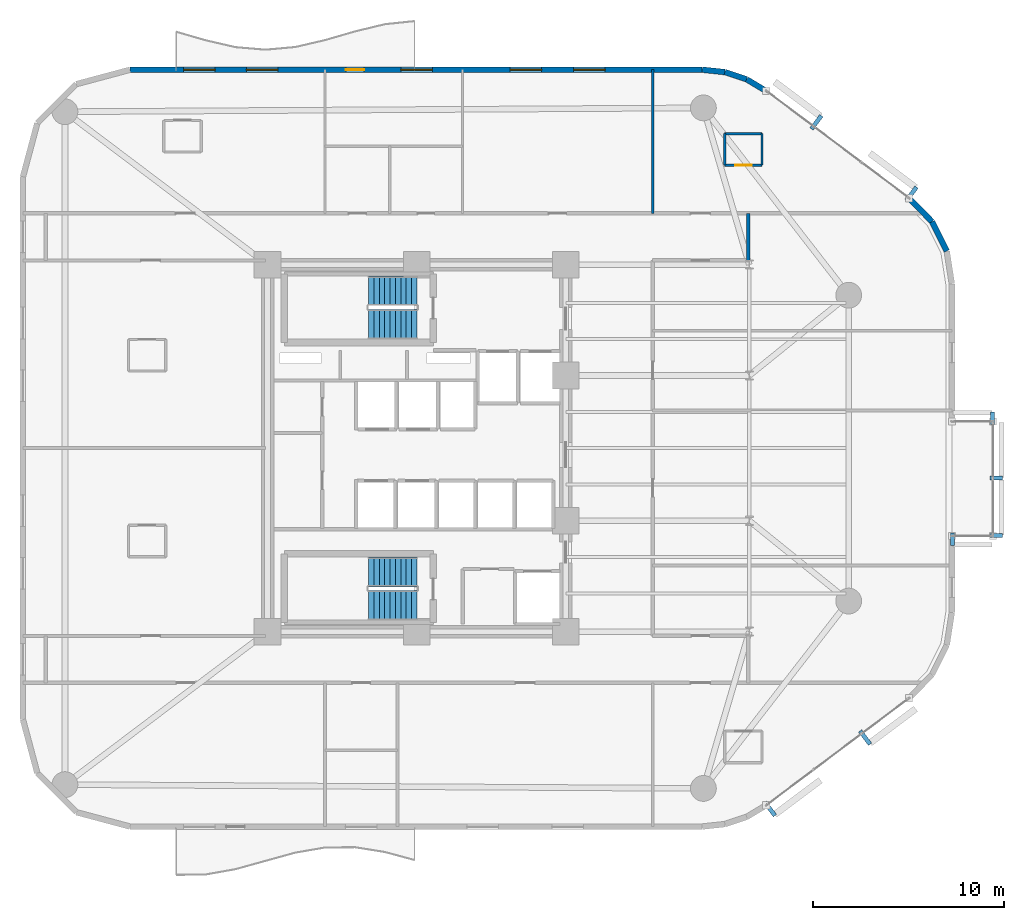
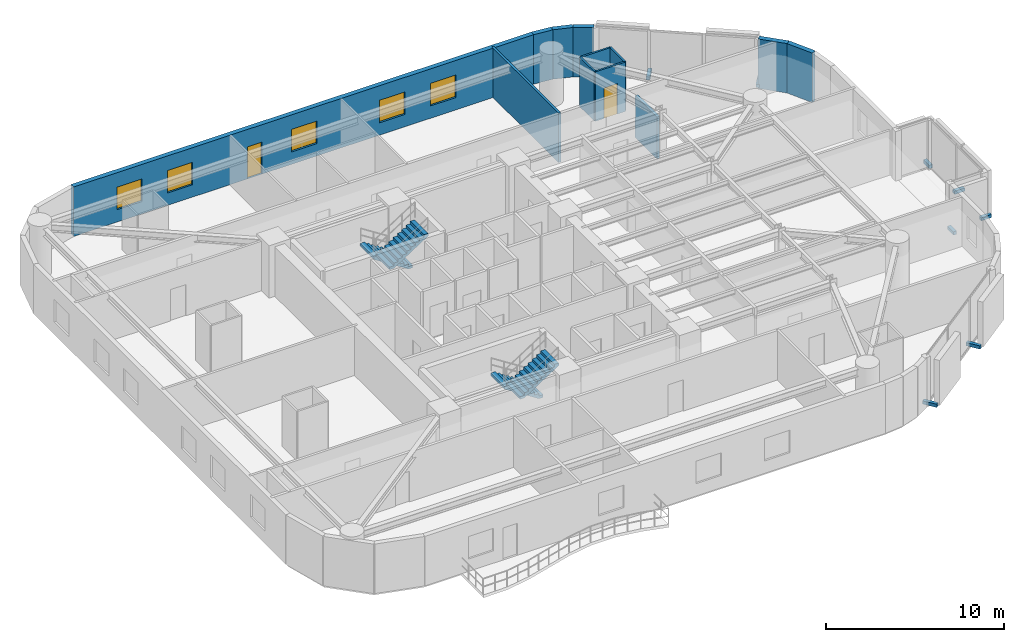
# One storey, part 11 of 13: 12 walls, 8 discrete accessories, 5 windows, 4 stair flights, 2 doors, 7 openings, 2 elements without a shape of their own.
"""IFC4 building model written with IfcOpenShell, lengths in metres."""

from ifc_helpers import new_model, si_unit, direction, frame, frame_2d, origin, origin_2d, place, context, subcontext, project, spatial, polyline, rectangle, outline, extrude, material, layer, layer_set, type_object, element, fill, aggregate, save


model = new_model("IFC4")

# Units and contexts
model_context = context("Model", 3, precision=1e-05, world=origin(), true_north=direction((0.0, 1.0)))
body_context = subcontext(model_context, "Body", "Model", "MODEL_VIEW")
ifc_project = project(units=[si_unit("LENGTHUNIT", "METRE"), si_unit("AREAUNIT", "SQUARE_METRE"), si_unit("VOLUMEUNIT", "CUBIC_METRE"), si_unit("PLANEANGLEUNIT", "RADIAN"), si_unit("MASSUNIT", "GRAM", prefix="KILO")], contexts=[model_context])

# Site, building, storey
site_placement = place(None, origin())
site = spatial("IfcSite", under=ifc_project, at=site_placement, CompositionType="ELEMENT")
building_placement = place(site_placement, origin())
building = spatial("IfcBuilding", under=site, at=building_placement, Name="An Khanh Terracotta Commons", CompositionType="ELEMENT")
storey_placement = place(building_placement, frame((0.0, 0.0, 125.89990234375)))
storey = spatial("IfcBuildingStorey", under=building, at=storey_placement, Name="L33", CompositionType="ELEMENT", Elevation=125.89990234375)

# Walls
ifc_material_1 = material(Name="Fire-Rated Gypsum Board on Steel Stud", Category="steel")
ifc_layer_1 = layer(ifc_material_1, 0.179931640625, Name="Fire-Rated Gypsum Board on Steel Stud")
ifc_layer_set_1 = layer_set([ifc_layer_1], Name="Fire-Rated Gypsum Board on Steel Stud")
wall_type_1 = type_object("IfcWallType", Name="WALL-CORR-180", PredefinedType="PARTITIONING", material=ifc_layer_set_1)
wall_1_placement = place(storey_placement, frame((46.75, 33.820068359375, 0.0), z_axis=(0.0, 0.0, 1.0), x_axis=(0.0, 1.0, 0.0)))
element("IfcWall", 1, at=wall_1_placement, inside=storey, type_object=wall_type_1, Name="L33 Interior Partition IW-L33-E024", PredefinedType="PARTITIONING", context=body_context, shape_type="SweptSolid", body=[
    extrude(rectangle(XDim=2.4599609375, YDim=0.179931640625, at=frame_2d((1.22998046875, 0.0))), origin(), (0.0, 0.0, 1.0), 2.882080078125),
])
ifc_material_2 = material(Name="Precast concrete C40/50", Category="concrete")
ifc_layer_2 = layer(ifc_material_2, 0.300048828125, Name="Precast concrete C40/50")
ifc_layer_set_2 = layer_set([ifc_layer_2], Name="Precast concrete C40/50")
wall_type_2 = type_object("IfcWallType", Name="WALL-EXT-300", PredefinedType="SOLIDWALL", material=ifc_layer_set_2)
for number, where, z_axis, x_axis, name in (
    (2, (57.135009765625, 34.303955078125, 0.0), (0.0, 0.0, 1.0), (-0.4472135955, 0.894427191, 0.0), "L33 Insulated Terracotta Exterior Wall 14"),
    (3, (56.364013671875, 35.845947265625, 0.0), (0.0, 0.0, 1.0), (-0.6983450845, 0.715761233201, 0.0), "L33 Insulated Terracotta Exterior Wall 15"),
):
    element("IfcWall", number, at=place(storey_placement, frame(where, z_axis=z_axis, x_axis=x_axis)), inside=storey, type_object=wall_type_2, Name=name, PredefinedType="SOLIDWALL", context=body_context, shape_type="SweptSolid", body=[
        extrude(rectangle(XDim=1.72412109375, YDim=0.300048828125, at=frame_2d((0.862060546875, 0.0))), origin(), (0.0, 0.0, 1.0), 3.400146484375),
    ])
wall_2_placement = place(storey_placement, frame((47.693115234375, 42.679931640625, 0.0), z_axis=(0.0, 0.0, 1.0), x_axis=(-0.859320591642, 0.511437308749, 0.0)))
element("IfcWall", 4, at=wall_2_placement, inside=storey, type_object=wall_type_2, Name="L33 Insulated Terracotta Exterior Wall 17", PredefinedType="SOLIDWALL", context=body_context, shape_type="SweptSolid", body=[
    extrude(rectangle(XDim=1.19873046875, YDim=0.300048828125, at=frame_2d((0.599365234375, 0.0))), origin(), (0.0, 0.0, 1.0), 3.400146484375),
])
wall_3_placement = place(storey_placement, frame((46.6630859375, 43.29296875, 0.0), z_axis=(0.0, 0.0, 1.0), x_axis=(-0.948744332129, 0.316044604847, 0.0)))
element("IfcWall", 5, at=wall_3_placement, inside=storey, type_object=wall_type_2, Name="L33 Insulated Terracotta Exterior Wall 18", PredefinedType="SOLIDWALL", context=body_context, shape_type="SweptSolid", body=[
    extrude(rectangle(XDim=1.19970703125, YDim=0.300048828125, at=frame_2d((0.599853515625, 0.0))), origin(), (0.0, 0.0, 1.0), 3.400146484375),
])
wall_4_placement = place(storey_placement, frame((45.52490234375, 43.672119140625, 0.0), z_axis=(0.0, 0.0, 1.0), x_axis=(-0.994289103787, 0.106720092254, 0.0)))
element("IfcWall", 6, at=wall_4_placement, inside=storey, type_object=wall_type_2, Name="L33 Insulated Terracotta Exterior Wall 19", PredefinedType="SOLIDWALL", context=body_context, shape_type="SweptSolid", body=[
    extrude(rectangle(XDim=1.19873046875, YDim=0.300048828125, at=frame_2d((0.599365234375, 0.0))), origin(), (0.0, 0.0, 1.0), 3.400146484375),
])

# Wall, openings, door, windows
wall_5_placement = place(storey_placement, frame((44.3330078125, 43.800048828125, 0.0), z_axis=(0.0, 0.0, 1.0), x_axis=(-1.0, 0.0, 0.0)))
wall_5 = element("IfcWall", 7, at=wall_5_placement, inside=storey, type_object=wall_type_2, Name="L33 Insulated Terracotta Exterior Wall 20", PredefinedType="SOLIDWALL", context=body_context, shape_type="SweptSolid", body=[
    extrude(rectangle(XDim=29.93310546875, YDim=0.300048828125, at=frame_2d((14.966552734375, 0.0))), origin(), (0.0, 0.0, 1.0), 3.400146484375),
])
opening_1_placement = place(wall_5_placement, frame((17.68310546875, 0.0, 0.0)))
opening_1 = element("IfcOpeningElement", 8, at=opening_1_placement, cuts=wall_5, Name="Opening D-BAL", PredefinedType="OPENING", context=body_context, shape_type="SweptSolid", body=[
    extrude(rectangle(XDim=0.949951171875, YDim=2.199951171875, at=frame_2d((0.47509765625, 1.10009765625))), frame((0.0, 0.159912109375, 0.0), z_axis=(0.0, -1.0, 0.0), x_axis=(1.0, 0.0, 0.0)), (0.0, 0.0, 1.0), 0.320068359375),
])
opening_2_placement = place(wall_5_placement, frame((5.074951171875, 0.0, 0.85009765625)))
opening_2 = element("IfcOpeningElement", 9, at=opening_2_placement, cuts=wall_5, Name="Opening W-02", PredefinedType="OPENING", context=body_context, shape_type="SweptSolid", body=[
    extrude(rectangle(XDim=1.64990234375, YDim=1.550048828125, at=frame_2d((0.824951171875, 0.77490234375))), frame((0.0, 0.159912109375, 0.0), z_axis=(0.0, -1.0, 0.0), x_axis=(1.0, 0.0, 0.0)), (0.0, 0.0, 1.0), 0.320068359375),
])
opening_3_placement = place(wall_5_placement, frame((8.39111328125, 0.0, 0.85009765625)))
opening_3 = element("IfcOpeningElement", 10, at=opening_3_placement, cuts=wall_5, Name="Opening W-02", PredefinedType="OPENING", context=body_context, shape_type="SweptSolid", body=[
    extrude(rectangle(XDim=1.64990234375, YDim=1.550048828125, at=frame_2d((0.824951171875, 0.77490234375))), frame((0.0, 0.159912109375, 0.0), z_axis=(0.0, -1.0, 0.0), x_axis=(1.0, 0.0, 0.0)), (0.0, 0.0, 1.0), 0.320068359375),
])
opening_4_placement = place(wall_5_placement, frame((14.10791015625, 0.0, 0.85009765625)))
opening_4 = element("IfcOpeningElement", 11, at=opening_4_placement, cuts=wall_5, Name="Opening W-02", PredefinedType="OPENING", context=body_context, shape_type="SweptSolid", body=[
    extrude(rectangle(XDim=1.64990234375, YDim=1.550048828125, at=frame_2d((0.824951171875, 0.77490234375))), frame((0.0, 0.159912109375, 0.0), z_axis=(0.0, -1.0, 0.0), x_axis=(1.0, 0.0, 0.0)), (0.0, 0.0, 1.0), 0.320068359375),
])
opening_5_placement = place(wall_5_placement, frame((22.19091796875, 0.0, 0.85009765625)))
opening_5 = element("IfcOpeningElement", 12, at=opening_5_placement, cuts=wall_5, Name="Opening W-02", PredefinedType="OPENING", context=body_context, shape_type="SweptSolid", body=[
    extrude(rectangle(XDim=1.64990234375, YDim=1.550048828125, at=frame_2d((0.824951171875, 0.77490234375))), frame((0.0, 0.159912109375, 0.0), z_axis=(0.0, -1.0, 0.0), x_axis=(1.0, 0.0, 0.0)), (0.0, 0.0, 1.0), 0.320068359375),
])
opening_6_placement = place(wall_5_placement, frame((25.47509765625, 0.0, 0.85009765625)))
opening_6 = element("IfcOpeningElement", 13, at=opening_6_placement, cuts=wall_5, Name="Opening W-02", PredefinedType="OPENING", context=body_context, shape_type="SweptSolid", body=[
    extrude(rectangle(XDim=1.64990234375, YDim=1.550048828125, at=frame_2d((0.824951171875, 0.77490234375))), frame((0.0, 0.159912109375, 0.0), z_axis=(0.0, -1.0, 0.0), x_axis=(1.0, 0.0, 0.0)), (0.0, 0.0, 1.0), 0.320068359375),
])
ifc_material_3 = material(Name="Thermally Broken Aluminium and Low-E Glass", Category="aluminium")
door_type_1 = type_object("IfcDoorType", Name="DOOR-BALC-950", OperationType="NOTDEFINED", PredefinedType="DOOR", material=ifc_material_3)
door_1_placement = place(opening_1_placement, origin())
door_1 = element("IfcDoor", 14, at=door_1_placement, inside=storey, type_object=door_type_1, Name="L33 N Wave Balcony Glazed Door", OperationType="SINGLE_SWING_RIGHT", OverallHeight=2.199951171875, OverallWidth=0.949951171875, PredefinedType="DOOR", context=body_context, shape_type="SweptSolid", body=[
    extrude(rectangle(XDim=0.949951171875, YDim=2.199951171875, at=frame_2d((0.47509765625, 1.10009765625))), frame((0.0, 0.02490234375, 0.0), z_axis=(0.0, -1.0, 0.0), x_axis=(1.0, 0.0, 0.0)), (0.0, 0.0, 1.0), 0.050048828125),
])
fill(opening_1, door_1)
window_type = type_object("IfcWindowType", Name="WIN-Z2-1650x1550", PartitioningType="DOUBLE_PANEL_VERTICAL", PredefinedType="WINDOW", material=ifc_material_3)
window_1_placement = place(opening_2_placement, origin())
window_1 = element("IfcWindow", 15, at=window_1_placement, inside=storey, type_object=window_type, Name="L33 Operable Casement Window 20.1", OverallHeight=1.550048828125, OverallWidth=1.64990234375, PartitioningType="DOUBLE_PANEL_VERTICAL", PredefinedType="WINDOW", context=body_context, shape_type="SweptSolid", body=[
    extrude(rectangle(XDim=1.64990234375, YDim=1.550048828125, at=frame_2d((0.824951171875, 0.77490234375))), frame((0.0, 0.030029296875, 0.0), z_axis=(0.0, -1.0, 0.0), x_axis=(1.0, 0.0, 0.0)), (0.0, 0.0, 1.0), 0.06005859375),
])
fill(opening_2, window_1)
window_2_placement = place(opening_3_placement, origin())
window_2 = element("IfcWindow", 16, at=window_2_placement, inside=storey, type_object=window_type, Name="L33 Operable Casement Window 20.2", OverallHeight=1.550048828125, OverallWidth=1.64990234375, PartitioningType="DOUBLE_PANEL_VERTICAL", PredefinedType="WINDOW", context=body_context, shape_type="SweptSolid", body=[
    extrude(rectangle(XDim=1.64990234375, YDim=1.550048828125, at=frame_2d((0.824951171875, 0.77490234375))), frame((0.0, 0.030029296875, 0.0), z_axis=(0.0, -1.0, 0.0), x_axis=(1.0, 0.0, 0.0)), (0.0, 0.0, 1.0), 0.06005859375),
])
fill(opening_3, window_2)
window_3_placement = place(opening_4_placement, origin())
window_3 = element("IfcWindow", 17, at=window_3_placement, inside=storey, type_object=window_type, Name="L33 Operable Casement Window 20.3", OverallHeight=1.550048828125, OverallWidth=1.64990234375, PartitioningType="DOUBLE_PANEL_VERTICAL", PredefinedType="WINDOW", context=body_context, shape_type="SweptSolid", body=[
    extrude(rectangle(XDim=1.64990234375, YDim=1.550048828125, at=frame_2d((0.824951171875, 0.77490234375))), frame((0.0, 0.030029296875, 0.0), z_axis=(0.0, -1.0, 0.0), x_axis=(1.0, 0.0, 0.0)), (0.0, 0.0, 1.0), 0.06005859375),
])
fill(opening_4, window_3)
window_4_placement = place(opening_5_placement, origin())
window_4 = element("IfcWindow", 18, at=window_4_placement, inside=storey, type_object=window_type, Name="L33 Operable Casement Window 20.4", OverallHeight=1.550048828125, OverallWidth=1.64990234375, PartitioningType="DOUBLE_PANEL_VERTICAL", PredefinedType="WINDOW", context=body_context, shape_type="SweptSolid", body=[
    extrude(rectangle(XDim=1.64990234375, YDim=1.550048828125, at=frame_2d((0.824951171875, 0.77490234375))), frame((0.0, 0.030029296875, 0.0), z_axis=(0.0, -1.0, 0.0), x_axis=(1.0, 0.0, 0.0)), (0.0, 0.0, 1.0), 0.06005859375),
])
fill(opening_5, window_4)
window_5_placement = place(opening_6_placement, origin())
window_5 = element("IfcWindow", 19, at=window_5_placement, inside=storey, type_object=window_type, Name="L33 Operable Casement Window 20.5", OverallHeight=1.550048828125, OverallWidth=1.64990234375, PartitioningType="DOUBLE_PANEL_VERTICAL", PredefinedType="WINDOW", context=body_context, shape_type="SweptSolid", body=[
    extrude(rectangle(XDim=1.64990234375, YDim=1.550048828125, at=frame_2d((0.824951171875, 0.77490234375))), frame((0.0, 0.030029296875, 0.0), z_axis=(0.0, -1.0, 0.0), x_axis=(1.0, 0.0, 0.0)), (0.0, 0.0, 1.0), 0.06005859375),
])
fill(opening_6, window_5)

# Walls
ifc_material_4 = material(Name="Acoustic Gypsum Board Partition")
ifc_layer_3 = layer(ifc_material_4, 0.14990234375, Name="Acoustic Gypsum Board Partition")
ifc_layer_set_3 = layer_set([ifc_layer_3], Name="Acoustic Gypsum Board Partition")
wall_type_3 = type_object("IfcWallType", Name="WALL-PART-150", PredefinedType="PARTITIONING", material=ifc_layer_set_3)
wall_6_placement = place(storey_placement, frame((41.75, 36.280029296875, 0.0), z_axis=(0.0, 0.0, 1.0), x_axis=(0.0, 1.0, 0.0)))
element("IfcWall", 20, at=wall_6_placement, inside=storey, type_object=wall_type_3, Name="L33 Interior Partition IW-L33-E022", PredefinedType="PARTITIONING", context=body_context, shape_type="SweptSolid", body=[
    extrude(rectangle(XDim=7.52001953125, YDim=0.14990234375, at=frame_2d((3.760009765625, 0.0))), origin(), (0.0, 0.0, 1.0), 3.400146484375),
])
ifc_material_5 = material(Name="Moisture-Resistant Cement Board Partition")
ifc_layer_4 = layer(ifc_material_5, 0.1201171875, Name="Moisture-Resistant Cement Board Partition")
ifc_layer_set_4 = layer_set([ifc_layer_4], Name="Moisture-Resistant Cement Board Partition")
wall_type_4 = type_object("IfcWallType", Name="WALL-WET-120", PredefinedType="PARTITIONING", material=ifc_layer_set_4)
wall_7_placement = place(storey_placement, frame((45.51611328125, 40.450927734375, 0.0), z_axis=(0.0, 0.0, 1.0), x_axis=(1.0, 0.0, 0.0)))
element("IfcWall", 21, at=wall_7_placement, inside=storey, type_object=wall_type_4, Name="L33 Interior Partition IW-L33-FANN-BN", PredefinedType="PARTITIONING", context=body_context, shape_type="SweptSolid", body=[
    extrude(rectangle(XDim=1.949951171875, YDim=0.1201171875, at=frame_2d((0.97509765625, 0.0))), origin(), (0.0, 0.0, 1.0), 3.400146484375),
])

# Wall, opening, door
wall_8_placement = place(storey_placement, frame((47.466064453125, 38.801025390625, 0.0), z_axis=(0.0, 0.0, 1.0), x_axis=(-1.0, 0.0, 0.0)))
wall_8 = element("IfcWall", 22, at=wall_8_placement, inside=storey, type_object=wall_type_4, Name="L33 Interior Partition IW-L33-FANN-BS", PredefinedType="PARTITIONING", context=body_context, shape_type="SweptSolid", body=[
    extrude(rectangle(XDim=1.949951171875, YDim=0.1201171875, at=frame_2d((0.97509765625, 0.0))), origin(), (0.0, 0.0, 1.0), 3.400146484375),
])
opening_7_placement = place(wall_8_placement, frame((0.544921875, 0.0, 0.0)))
opening_7 = element("IfcOpeningElement", 23, at=opening_7_placement, cuts=wall_8, Name="Opening D-ENS", PredefinedType="OPENING", context=body_context, shape_type="SweptSolid", body=[
    extrude(rectangle(XDim=0.860107421875, YDim=2.10009765625, at=frame_2d((0.43017578125, 1.050048828125))), frame((0.0, 0.070068359375, 0.0), z_axis=(0.0, -1.0, 0.0), x_axis=(1.0, 0.0, 0.0)), (0.0, 0.0, 1.0), 0.14013671875),
])
ifc_material_6 = material(Name="Moisture-Resistant Hardwood Timber Leaf", Category="wood")
door_type_2 = type_object("IfcDoorType", Name="DOOR-BATH-860", OperationType="NOTDEFINED", PredefinedType="DOOR", material=ifc_material_6)
door_2_placement = place(opening_7_placement, origin())
door_2 = element("IfcDoor", 24, at=door_2_placement, inside=storey, type_object=door_type_2, Name="L33 Studio FANN En-suite Door", OperationType="SINGLE_SWING_RIGHT", OverallHeight=2.10009765625, OverallWidth=0.860107421875, PredefinedType="DOOR", context=body_context, shape_type="SweptSolid", body=[
    extrude(rectangle(XDim=0.860107421875, YDim=2.10009765625, at=frame_2d((0.43017578125, 1.050048828125))), frame((0.0, 0.02490234375, 0.0), z_axis=(0.0, -1.0, 0.0), x_axis=(1.0, 0.0, 0.0)), (0.0, 0.0, 1.0), 0.050048828125),
])
fill(opening_7, door_2)

# Walls
for number, where, z_axis, x_axis, name in (
    (25, (45.51611328125, 40.450927734375, 0.0), (0.0, 0.0, 1.0), (0.0, -1.0, 0.0), "L33 Interior Partition IW-L33-FANN-BW"),
    (26, (47.466064453125, 38.801025390625, 0.0), (0.0, 0.0, 1.0), (0.0, 1.0, 0.0), "L33 Interior Partition IW-L33-FANN-BE"),
):
    element("IfcWall", number, at=place(storey_placement, frame(where, z_axis=z_axis, x_axis=x_axis)), inside=storey, type_object=wall_type_4, Name=name, PredefinedType="PARTITIONING", context=body_context, shape_type="SweptSolid", body=[
        extrude(rectangle(XDim=1.64990234375, YDim=0.1201171875, at=frame_2d((0.824951171875, 0.0))), origin(), (0.0, 0.0, 1.0), 3.400146484375),
    ])

# Stair, stair flights
stair_type = type_object("IfcStairType", Name="STAIR-CORE-1550", PredefinedType="HALF_TURN_STAIR", material=ifc_material_2)
stair_1_placement = place(storey_placement, origin())
stair_1 = element("IfcStair", 27, at=stair_1_placement, inside=storey, type_object=stair_type, Name="L33 Core Smokeproof Exit Stair ST-01", PredefinedType="HALF_TURN_STAIR")
stair_flight_type = type_object("IfcStairFlightType", Name="FLIGHT-CORE-1550", PredefinedType="STRAIGHT", material=ifc_material_2)
stair_flight_1_placement = place(storey_placement, frame((29.409912109375, 32.22509765625, 0.0), z_axis=(0.0, 0.0, 1.0), x_axis=(-1.0, 0.0, 0.0)))
stair_flight_1 = element("IfcStairFlight", 28, at=stair_flight_1_placement, type_object=stair_flight_type, Name="ST-01 flight 1", NumberOfRisers=10, NumberOfTreads=9, PredefinedType="STRAIGHT", RiserHeight=0.18, TreadLength=0.28, context=body_context, shape_type="SweptSolid", body=[
    extrude(outline(polyline([(0.0, 0.0), (0.0, 0.179931640625), (0.280029296875, 0.179931640625), (0.280029296875, 0.360107421875), (0.56005859375, 0.360107421875), (0.56005859375, 0.5400390625), (0.840087890625, 0.5400390625), (0.840087890625, 0.719970703125), (1.1201171875, 0.719970703125), (1.1201171875, 0.89990234375), (1.39990234375, 0.89990234375), (1.39990234375, 1.080078125), (1.679931640625, 1.080078125), (1.679931640625, 1.260009765625), (1.9599609375, 1.260009765625), (1.9599609375, 1.43994140625), (2.239990234375, 1.43994140625), (2.239990234375, 1.6201171875), (2.52001953125, 1.6201171875), (2.52001953125, 1.800048828125), (2.52001953125, 1.44189453125), (0.277099609375, 0.0), (0.0, 0.0)])), frame((0.0, 0.77490234375, 0.0), z_axis=(0.0, -1.0, 0.0), x_axis=(1.0, 0.0, 0.0)), (0.0, 0.0, 1.0), 1.550048828125),
])
stair_flight_2_placement = place(storey_placement, frame((26.889892578125, 30.47509765625, 1.800048828125), z_axis=(0.0, 0.0, 1.0), x_axis=(1.0, 0.0, 0.0)))
stair_flight_2 = element("IfcStairFlight", 29, at=stair_flight_2_placement, type_object=stair_flight_type, Name="ST-01 flight 2", NumberOfRisers=10, NumberOfTreads=9, PredefinedType="STRAIGHT", RiserHeight=0.18, TreadLength=0.28, context=body_context, shape_type="SweptSolid", body=[
    extrude(outline(polyline([(0.0, 0.0), (0.0, 0.179931640625), (0.280029296875, 0.179931640625), (0.280029296875, 0.360107421875), (0.56005859375, 0.360107421875), (0.56005859375, 0.5400390625), (0.840087890625, 0.5400390625), (0.840087890625, 0.719970703125), (1.1201171875, 0.719970703125), (1.1201171875, 0.89990234375), (1.39990234375, 0.89990234375), (1.39990234375, 1.080078125), (1.679931640625, 1.080078125), (1.679931640625, 1.260009765625), (1.9599609375, 1.260009765625), (1.9599609375, 1.43994140625), (2.239990234375, 1.43994140625), (2.239990234375, 1.6201171875), (2.52001953125, 1.6201171875), (2.52001953125, 1.800048828125), (2.52001953125, 1.44189453125), (0.277099609375, 0.0), (0.0, 0.0)])), frame((0.0, 0.77490234375, 0.0), z_axis=(0.0, -1.0, 0.0), x_axis=(1.0, 0.0, 0.0)), (0.0, 0.0, 1.0), 1.550048828125),
])
aggregate(stair_1, [stair_flight_1, stair_flight_2])

stair_2_placement = place(storey_placement, origin())
stair_2 = element("IfcStair", 30, at=stair_2_placement, inside=storey, type_object=stair_type, Name="L33 Core Smokeproof Exit Stair ST-02", PredefinedType="HALF_TURN_STAIR")
stair_flight_3_placement = place(storey_placement, frame((29.409912109375, 17.52490234375, 0.0), z_axis=(0.0, 0.0, 1.0), x_axis=(-1.0, 0.0, 0.0)))
stair_flight_3 = element("IfcStairFlight", 31, at=stair_flight_3_placement, type_object=stair_flight_type, Name="ST-02 flight 1", NumberOfRisers=10, NumberOfTreads=9, PredefinedType="STRAIGHT", RiserHeight=0.18, TreadLength=0.28, context=body_context, shape_type="SweptSolid", body=[
    extrude(outline(polyline([(0.0, 0.0), (0.0, 0.179931640625), (0.280029296875, 0.179931640625), (0.280029296875, 0.360107421875), (0.56005859375, 0.360107421875), (0.56005859375, 0.5400390625), (0.840087890625, 0.5400390625), (0.840087890625, 0.719970703125), (1.1201171875, 0.719970703125), (1.1201171875, 0.89990234375), (1.39990234375, 0.89990234375), (1.39990234375, 1.080078125), (1.679931640625, 1.080078125), (1.679931640625, 1.260009765625), (1.9599609375, 1.260009765625), (1.9599609375, 1.43994140625), (2.239990234375, 1.43994140625), (2.239990234375, 1.6201171875), (2.52001953125, 1.6201171875), (2.52001953125, 1.800048828125), (2.52001953125, 1.44189453125), (0.277099609375, 0.0), (0.0, 0.0)])), frame((0.0, 0.77490234375, 0.0), z_axis=(0.0, -1.0, 0.0), x_axis=(1.0, 0.0, 0.0)), (0.0, 0.0, 1.0), 1.550048828125),
])
stair_flight_4_placement = place(storey_placement, frame((26.889892578125, 15.77490234375, 1.800048828125), z_axis=(0.0, 0.0, 1.0), x_axis=(1.0, 0.0, 0.0)))
stair_flight_4 = element("IfcStairFlight", 32, at=stair_flight_4_placement, type_object=stair_flight_type, Name="ST-02 flight 2", NumberOfRisers=10, NumberOfTreads=9, PredefinedType="STRAIGHT", RiserHeight=0.18, TreadLength=0.28, context=body_context, shape_type="SweptSolid", body=[
    extrude(outline(polyline([(0.0, 0.0), (0.0, 0.179931640625), (0.280029296875, 0.179931640625), (0.280029296875, 0.360107421875), (0.56005859375, 0.360107421875), (0.56005859375, 0.5400390625), (0.840087890625, 0.5400390625), (0.840087890625, 0.719970703125), (1.1201171875, 0.719970703125), (1.1201171875, 0.89990234375), (1.39990234375, 0.89990234375), (1.39990234375, 1.080078125), (1.679931640625, 1.080078125), (1.679931640625, 1.260009765625), (1.9599609375, 1.260009765625), (1.9599609375, 1.43994140625), (2.239990234375, 1.43994140625), (2.239990234375, 1.6201171875), (2.52001953125, 1.6201171875), (2.52001953125, 1.800048828125), (2.52001953125, 1.44189453125), (0.277099609375, 0.0), (0.0, 0.0)])), frame((0.0, 0.77490234375, 0.0), z_axis=(0.0, -1.0, 0.0), x_axis=(1.0, 0.0, 0.0)), (0.0, 0.0, 1.0), 1.550048828125),
])
aggregate(stair_2, [stair_flight_3, stair_flight_4])

# Discrete accessories
ifc_material_7 = material(Name="Stainless Steel Grade 316L", Category="steel")
discrete_accessory_type = type_object("IfcDiscreteAccessoryType", Name="Stainless Outrigger Facade Bracket", PredefinedType="BRACKET", material=ifc_material_7)
for number, where, z_axis, x_axis, name in (
    (33, (47.8798828125, 5.12890625, 0.0703125), (0.0, 0.0, 1.0), (0.800012856594, 0.599982857492, 0.0), "L33 Terracotta Screen Outrigger Bracket 1"),
    (34, (52.85791015625, 8.862060546875, 0.0703125), (0.0, 0.0, 1.0), (0.800012856594, 0.599982857492, 0.0), "L33 Terracotta Screen Outrigger Bracket 3"),
):
    element("IfcDiscreteAccessory", number, at=place(storey_placement, frame(where, z_axis=z_axis, x_axis=x_axis)), inside=storey, type_object=discrete_accessory_type, Name=name, PredefinedType="BRACKET", context=body_context, shape_type="SweptSolid", body=[
        extrude(rectangle(XDim=0.219970703125, YDim=0.8701171875, at=origin_2d()), origin(), (0.0, 0.0, 1.0), 0.219970703125),
    ])
for number, where, z_axis, x_axis, name in (
    (35, (59.715087890625, 19.431884765625, 0.0703125), (0.0, 0.0, 1.0), (0.0, 1.0, 0.0), "L33 Terracotta Screen Outrigger Bracket 1"),
    (36, (59.715087890625, 22.431884765625, 0.0703125), (0.0, 0.0, 1.0), (0.0, 1.0, 0.0), "L33 Terracotta Screen Outrigger Bracket 2"),
    (37, (57.431884765625, 19.235107421875, 0.0703125), (0.0, 0.0, 1.0), (1.0, 0.0, 0.0), "L33 Terracotta Screen Outrigger Bracket 1"),
    (38, (59.51708984375, 25.56494140625, 0.0703125), (0.0, 0.0, 1.0), (-1.0, 0.0, 0.0), "L33 Terracotta Screen Outrigger Bracket 1"),
):
    element("IfcDiscreteAccessory", number, at=place(storey_placement, frame(where, z_axis=z_axis, x_axis=x_axis)), inside=storey, type_object=discrete_accessory_type, Name=name, PredefinedType="BRACKET", context=body_context, shape_type="SweptSolid", body=[
        extrude(rectangle(XDim=0.219970703125, YDim=0.669921875, at=origin_2d()), origin(), (0.0, 0.0, 1.0), 0.219970703125),
    ])
for number, where, z_axis, x_axis, name in (
    (39, (55.291015625, 37.31298828125, 0.0703125), (0.0, 0.0, 1.0), (-0.800012856594, 0.599982857492, 0.0), "L33 Terracotta Screen Outrigger Bracket 1"),
    (40, (50.31298828125, 41.0458984375, 0.0703125), (0.0, 0.0, 1.0), (-0.800012856594, 0.599982857492, 0.0), "L33 Terracotta Screen Outrigger Bracket 3"),
):
    element("IfcDiscreteAccessory", number, at=place(storey_placement, frame(where, z_axis=z_axis, x_axis=x_axis)), inside=storey, type_object=discrete_accessory_type, Name=name, PredefinedType="BRACKET", context=body_context, shape_type="SweptSolid", body=[
        extrude(rectangle(XDim=0.219970703125, YDim=0.8701171875, at=origin_2d()), origin(), (0.0, 0.0, 1.0), 0.219970703125),
    ])

save(model, "model.ifc")
